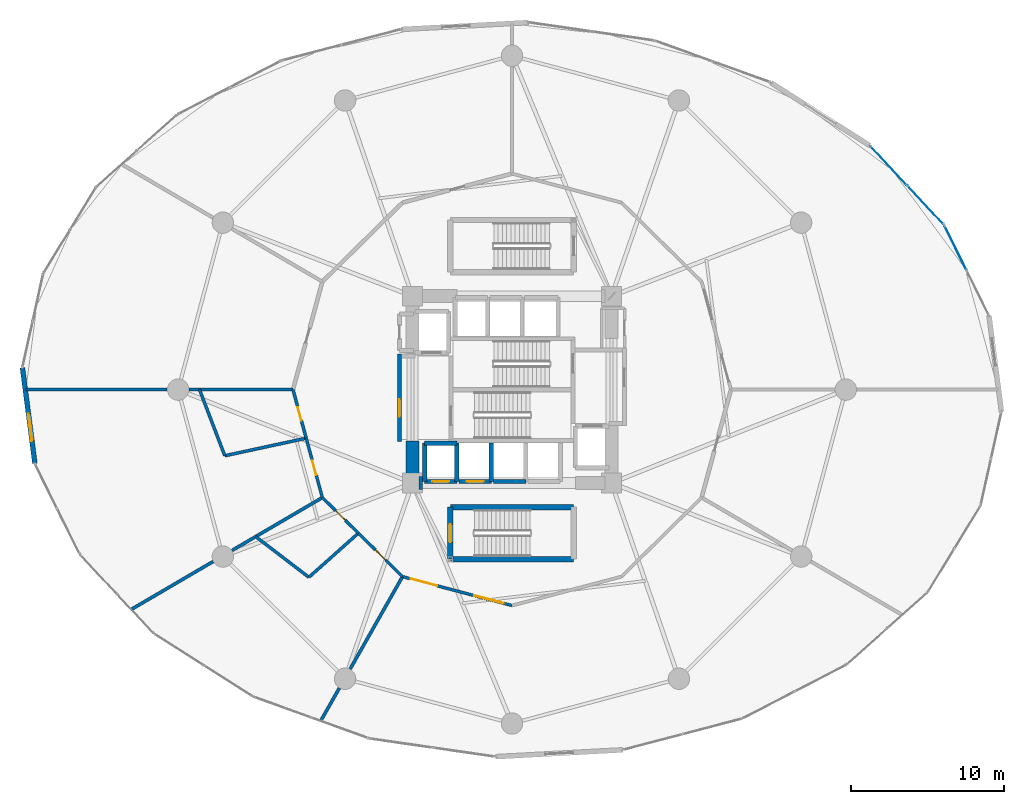
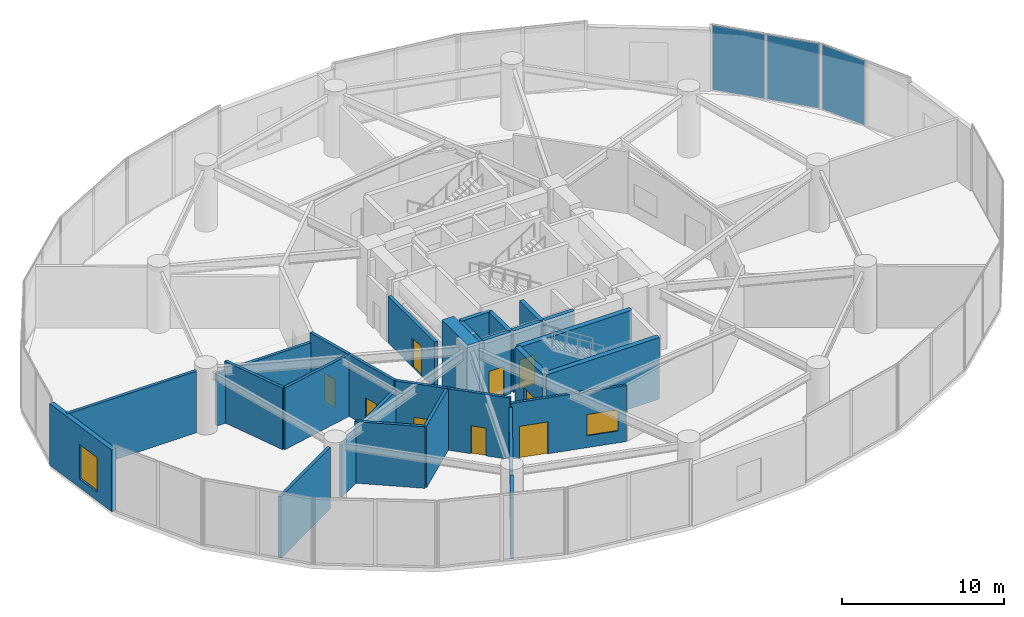
# One storey, part 25 of 31: 29 walls, 9 doors, 3 plates, 2 windows, 11 openings, 2 elements without a shape of their own.
"""IFC4 building model written with IfcOpenShell, lengths in metres."""

from ifc_helpers import new_model, si_unit, direction, frame, frame_2d, origin, origin_2d, place, context, subcontext, project, spatial, rectangle, extrude, source, transform, mapped, material, layer, layer_set, type_object, element, fill, aggregate, save


model = new_model("IFC4")

# Units and contexts
model_context = context("Model", 3, precision=1e-05, world=origin(), true_north=direction((0.0, 1.0)))
body_context = subcontext(model_context, "Body", "Model", "MODEL_VIEW")
ifc_project = project(units=[si_unit("LENGTHUNIT", "METRE"), si_unit("AREAUNIT", "SQUARE_METRE"), si_unit("VOLUMEUNIT", "CUBIC_METRE"), si_unit("PLANEANGLEUNIT", "RADIAN"), si_unit("MASSUNIT", "GRAM", prefix="KILO")], contexts=[model_context])

# Site, building, storey
site_placement = place(None, origin())
site = spatial("IfcSite", under=ifc_project, at=site_placement, CompositionType="ELEMENT")
building_placement = place(site_placement, origin())
building = spatial("IfcBuilding", under=site, at=building_placement, Name="Solvirekh Grand Hotel", CompositionType="ELEMENT")
storey_placement = place(building_placement, frame((0.0, 0.0, 18.60009765625)))
storey = spatial("IfcBuildingStorey", under=building, at=storey_placement, Name="L03", CompositionType="ELEMENT", Elevation=18.60009765625)

# Curtain wall, plate
ifc_material_1 = material(Name="Anodized Bronze Aluminium 6063-T6", Category="aluminium")
ifc_layer_1 = layer(ifc_material_1, 0.219970703125)
ifc_layer_set_1 = layer_set([ifc_layer_1], Name="Anodized Bronze Aluminium 6063-T6")
curtain_wall_type = type_object("IfcCurtainWallType", Name="CW_Sys1_PodiumBronzeUnitised", PredefinedType="NOTDEFINED", material=ifc_layer_set_1)
curtain_wall_1_placement = place(storey_placement, origin())
curtain_wall_1 = element("IfcCurtainWall", 1, at=curtain_wall_1_placement, inside=storey, type_object=curtain_wall_type, Name="L03 unitised bronze-glass curtain wall CW-L03-C02", PredefinedType="NOTDEFINED")
ifc_material_2 = material(Name="Low-E Tinted Bronze Laminated Glass", Category="aluminium")
ifc_layer_2 = layer(ifc_material_2, 0.0439453125)
ifc_layer_set_2 = layer_set([ifc_layer_2], Name="Low-E Tinted Bronze Laminated Glass")
plate_type = type_object("IfcPlateType", Name="CWPanel_Podium_44", PredefinedType="CURTAIN_PANEL", material=ifc_layer_set_2)
shared_shape_1 = source(origin(), body_context, "Body", "SweptSolid", [
    extrude(rectangle(XDim=3.193603515625, YDim=0.0439453125, at=origin_2d()), origin(), (0.0, 0.0, 1.0), 4.8701171875),
])
plate_1_placement = place(storey_placement, frame((28.963134765625, 9.251953125, 0.06494140625), z_axis=(0.0, 0.0, 1.0), x_axis=(-0.443883267157, 0.896084619407, 0.0)))
plate_1 = element("IfcPlate", 2, at=plate_1_placement, type_object=plate_type, Name="U01 panel 2.1", PredefinedType="CURTAIN_PANEL", context=body_context, shape_type="MappedRepresentation", body=[
    mapped(shared_shape_1, transform((0.0, 0.0, 0.0), x_axis=(1.0, 0.0, 0.0), y_axis=(0.0, 1.0, 0.0), z_axis=(0.0, 0.0, 1.0), scale=1.0)),
])
aggregate(curtain_wall_1, [plate_1])

# Curtain wall, plates
curtain_wall_2_placement = place(storey_placement, origin())
curtain_wall_2 = element("IfcCurtainWall", 3, at=curtain_wall_2_placement, inside=storey, type_object=curtain_wall_type, Name="L03 unitised bronze-glass curtain wall CW-L03-C03", PredefinedType="NOTDEFINED")
shared_shape_2 = source(origin(), body_context, "Body", "SweptSolid", [
    extrude(rectangle(XDim=3.443115234375, YDim=0.0439453125, at=origin_2d()), origin(), (0.0, 0.0, 1.0), 4.8701171875),
])
plate_2_placement = place(storey_placement, frame((26.99365234375, 12.06201171875, 0.06494140625), z_axis=(0.0, 0.0, 1.0), x_axis=(-0.683159547971, 0.730269150393, 0.0)))
plate_2 = element("IfcPlate", 4, at=plate_2_placement, type_object=plate_type, Name="U01 panel 1.1", PredefinedType="CURTAIN_PANEL", context=body_context, shape_type="MappedRepresentation", body=[
    mapped(shared_shape_2, transform((0.0, 0.0, 0.0), x_axis=(1.0, 0.0, 0.0), y_axis=(0.0, 1.0, 0.0), z_axis=(0.0, 0.0, 1.0), scale=1.0)),
])
plate_3_placement = place(storey_placement, frame((24.59033203125, 14.631103515625, 0.06494140625), z_axis=(0.0, 0.0, 1.0), x_axis=(-0.683159547971, 0.730269150393, 0.0)))
plate_3 = element("IfcPlate", 5, at=plate_3_placement, type_object=plate_type, Name="U01 panel 2.1", PredefinedType="CURTAIN_PANEL", context=body_context, shape_type="MappedRepresentation", body=[
    mapped(shared_shape_2, transform((0.0, 0.0, 0.0), x_axis=(1.0, 0.0, 0.0), y_axis=(0.0, 1.0, 0.0), z_axis=(0.0, 0.0, 1.0), scale=1.0)),
])
aggregate(curtain_wall_2, [plate_2, plate_3])

# Wall, opening, door
ifc_material_3 = material(Name="Concrete C50/60", Category="concrete")
ifc_layer_3 = layer(ifc_material_3, 0.35009765625)
ifc_layer_set_3 = layer_set([ifc_layer_3], Name="Concrete C50/60")
wall_type_1 = type_object("IfcWallType", Name="CoreDivWall_RC350", PredefinedType="SOLIDWALL", material=ifc_layer_set_3)
wall_1_placement = place(storey_placement, frame((-4.02490234375, -11.074951171875, 0.0), z_axis=(0.0, 0.0, 1.0), x_axis=(0.0, 1.0, 0.0)))
wall_1 = element("IfcWall", 6, at=wall_1_placement, inside=storey, type_object=wall_type_1, Name="L03 podium stair ST-3 west landing wall", PredefinedType="SOLIDWALL", context=body_context, shape_type="SweptSolid", body=[
    extrude(rectangle(XDim=3.39990234375, YDim=0.35009765625, at=frame_2d((1.699951171875, 0.0))), origin(), (0.0, 0.0, 1.0), 4.639892578125),
])
opening_1_placement = place(wall_1_placement, frame((1.10009765625, 0.0, 0.0)))
opening_1 = element("IfcOpeningElement", 7, at=opening_1_placement, cuts=wall_1, Name="Opening D05", PredefinedType="OPENING", context=body_context, shape_type="SweptSolid", body=[
    extrude(rectangle(XDim=1.199951171875, YDim=2.199951171875, at=frame_2d((0.60009765625, 1.10009765625))), frame((0.0, 0.18505859375, 0.0), z_axis=(0.0, -1.0, 0.0), x_axis=(1.0, 0.0, 0.0)), (0.0, 0.0, 1.0), 0.3701171875),
])
ifc_material_4 = material(Name="Fire-Rated Steel Door Assembly", Category="steel")
door_type_1 = type_object("IfcDoorType", Name="Door_StairCore_1200X2200", OperationType="NOTDEFINED", PredefinedType="DOOR", material=ifc_material_4)
door_1_placement = place(opening_1_placement, origin())
door_1 = element("IfcDoor", 8, at=door_1_placement, inside=storey, type_object=door_type_1, Name="L03 podium stair ST-3 fire door", OperationType="SINGLE_SWING_RIGHT", OverallHeight=2.199951171875, OverallWidth=1.199951171875, PredefinedType="DOOR", context=body_context, shape_type="SweptSolid", body=[
    extrude(rectangle(XDim=1.199951171875, YDim=2.199951171875, at=frame_2d((0.60009765625, 1.10009765625))), frame((0.0, 0.02490234375, 0.0), z_axis=(0.0, -1.0, 0.0), x_axis=(1.0, 0.0, 0.0)), (0.0, 0.0, 1.0), 0.050048828125),
])
fill(opening_1, door_1)

# Walls
for number, where, z_axis, x_axis, name in (
    (9, (-4.02490234375, -11.074951171875, 0.0), (0.0, 0.0, 1.0), (1.0, 0.0, 0.0), "L03 podium stair ST-3 S enclosure wall"),
    (10, (4.02490234375, -7.675048828125, 0.0), (0.0, 0.0, 1.0), (-1.0, 0.0, 0.0), "L03 podium stair ST-3 N enclosure wall"),
):
    element("IfcWall", number, at=place(storey_placement, frame(where, z_axis=z_axis, x_axis=x_axis)), inside=storey, type_object=wall_type_1, Name=name, PredefinedType="SOLIDWALL", context=body_context, shape_type="SweptSolid", body=[
        extrude(rectangle(XDim=8.0498046875, YDim=0.35009765625, at=frame_2d((4.02490234375, 0.0))), origin(), (0.0, 0.0, 1.0), 4.639892578125),
    ])

# Wall, opening, door
ifc_material_5 = material(Name="Concrete C40/50", Category="concrete")
ifc_layer_4 = layer(ifc_material_5, 0.280029296875)
ifc_layer_set_4 = layer_set([ifc_layer_4], Name="Concrete C40/50")
wall_type_2 = type_object("IfcWallType", Name="CoreShaftWall_RC280", PredefinedType="SOLIDWALL", material=ifc_layer_set_4)
wall_2_placement = place(storey_placement, frame((-5.699951171875, -6.0, 0.0), z_axis=(0.0, 0.0, 1.0), x_axis=(1.0, 0.0, 0.0)))
wall_2 = element("IfcWall", 11, at=wall_2_placement, inside=storey, type_object=wall_type_2, Name="L03 LP-1 hoistway S wall", PredefinedType="SOLIDWALL", context=body_context, shape_type="SweptSolid", body=[
    extrude(rectangle(XDim=2.099853515625, YDim=0.280029296875, at=frame_2d((1.0498046875, 0.0))), origin(), (0.0, 0.0, 1.0), 4.639892578125),
])
opening_2_placement = place(wall_2_placement, frame((0.5, 0.0, 0.0)))
opening_2 = element("IfcOpeningElement", 12, at=opening_2_placement, cuts=wall_2, Name="Opening LD01", PredefinedType="OPENING", context=body_context, shape_type="SweptSolid", body=[
    extrude(rectangle(XDim=1.10009765625, YDim=2.199951171875, at=frame_2d((0.550048828125, 1.10009765625))), frame((0.0, 0.14990234375, 0.0), z_axis=(0.0, -1.0, 0.0), x_axis=(1.0, 0.0, 0.0)), (0.0, 0.0, 1.0), 0.300048828125),
])
door_type_2 = type_object("IfcDoorType", Name="Door_LiftLanding_1100X2200", OperationType="SLIDING_TO_LEFT", PredefinedType="DOOR", material=ifc_material_4)
door_2_placement = place(opening_2_placement, origin())
door_2 = element("IfcDoor", 13, at=door_2_placement, inside=storey, type_object=door_type_2, Name="L03 LP-1 sliding lift landing door", OperationType="SLIDING_TO_LEFT", OverallHeight=2.199951171875, OverallWidth=1.10009765625, PredefinedType="DOOR", context=body_context, shape_type="SweptSolid", body=[
    extrude(rectangle(XDim=1.10009765625, YDim=2.199951171875, at=frame_2d((0.550048828125, 1.10009765625))), frame((0.0, 0.02490234375, 0.0), z_axis=(0.0, -1.0, 0.0), x_axis=(1.0, 0.0, 0.0)), (0.0, 0.0, 1.0), 0.050048828125),
])
fill(opening_2, door_2)

# Walls
wall_3_placement = place(storey_placement, frame((-3.60009765625, -3.5, 0.0), z_axis=(0.0, 0.0, 1.0), x_axis=(-1.0, 0.0, 0.0)))
element("IfcWall", 14, at=wall_3_placement, inside=storey, type_object=wall_type_2, Name="L03 LP-1 hoistway N wall", PredefinedType="SOLIDWALL", context=body_context, shape_type="SweptSolid", body=[
    extrude(rectangle(XDim=2.099853515625, YDim=0.280029296875, at=frame_2d((1.0498046875, 0.0))), origin(), (0.0, 0.0, 1.0), 4.639892578125),
])
for number, where, z_axis, x_axis, name in (
    (15, (-5.699951171875, -3.5, 0.0), (0.0, 0.0, 1.0), (0.0, -1.0, 0.0), "L03 LP-1 hoistway W wall"),
    (16, (-3.60009765625, -6.0, 0.0), (0.0, 0.0, 1.0), (0.0, 1.0, 0.0), "L03 LP-1 hoistway E wall"),
):
    element("IfcWall", number, at=place(storey_placement, frame(where, z_axis=z_axis, x_axis=x_axis)), inside=storey, type_object=wall_type_2, Name=name, PredefinedType="SOLIDWALL", context=body_context, shape_type="SweptSolid", body=[
        extrude(rectangle(XDim=2.5, YDim=0.280029296875, at=frame_2d((1.25, 0.0))), origin(), (0.0, 0.0, 1.0), 4.639892578125),
    ])

# Wall, opening, door
wall_4_placement = place(storey_placement, frame((-3.449951171875, -6.0, 0.0), z_axis=(0.0, 0.0, 1.0), x_axis=(1.0, 0.0, 0.0)))
wall_4 = element("IfcWall", 17, at=wall_4_placement, inside=storey, type_object=wall_type_2, Name="L03 LP-2 hoistway S wall", PredefinedType="SOLIDWALL", context=body_context, shape_type="SweptSolid", body=[
    extrude(rectangle(XDim=2.099853515625, YDim=0.280029296875, at=frame_2d((1.0498046875, 0.0))), origin(), (0.0, 0.0, 1.0), 4.639892578125),
])
opening_3_placement = place(wall_4_placement, frame((0.5, 0.0, 0.0)))
opening_3 = element("IfcOpeningElement", 18, at=opening_3_placement, cuts=wall_4, Name="Opening LD01", PredefinedType="OPENING", context=body_context, shape_type="SweptSolid", body=[
    extrude(rectangle(XDim=1.10009765625, YDim=2.199951171875, at=frame_2d((0.550048828125, 1.10009765625))), frame((0.0, 0.14990234375, 0.0), z_axis=(0.0, -1.0, 0.0), x_axis=(1.0, 0.0, 0.0)), (0.0, 0.0, 1.0), 0.300048828125),
])
door_3_placement = place(opening_3_placement, origin())
door_3 = element("IfcDoor", 19, at=door_3_placement, inside=storey, type_object=door_type_2, Name="L03 LP-2 sliding lift landing door", OperationType="SLIDING_TO_LEFT", OverallHeight=2.199951171875, OverallWidth=1.10009765625, PredefinedType="DOOR", context=body_context, shape_type="SweptSolid", body=[
    extrude(rectangle(XDim=1.10009765625, YDim=2.199951171875, at=frame_2d((0.550048828125, 1.10009765625))), frame((0.0, 0.02490234375, 0.0), z_axis=(0.0, -1.0, 0.0), x_axis=(1.0, 0.0, 0.0)), (0.0, 0.0, 1.0), 0.050048828125),
])
fill(opening_3, door_3)

# Walls
wall_5_placement = place(storey_placement, frame((-1.35009765625, -6.0, 0.0), z_axis=(0.0, 0.0, 1.0), x_axis=(0.0, 1.0, 0.0)))
element("IfcWall", 20, at=wall_5_placement, inside=storey, type_object=wall_type_2, Name="L03 LP-2 hoistway E wall", PredefinedType="SOLIDWALL", context=body_context, shape_type="SweptSolid", body=[
    extrude(rectangle(XDim=2.5, YDim=0.280029296875, at=frame_2d((1.25, 0.0))), origin(), (0.0, 0.0, 1.0), 4.639892578125),
])
wall_6_placement = place(storey_placement, frame((-1.199951171875, -6.0, 0.0), z_axis=(0.0, 0.0, 1.0), x_axis=(1.0, 0.0, 0.0)))
element("IfcWall", 21, at=wall_6_placement, inside=storey, type_object=wall_type_2, Name="L03 MP-1 hoistway S wall", PredefinedType="SOLIDWALL", context=body_context, shape_type="SweptSolid", body=[
    extrude(rectangle(XDim=2.099853515625, YDim=0.280029296875, at=frame_2d((1.0498046875, 0.0))), origin(), (0.0, 0.0, 1.0), 4.639892578125),
])
ifc_material_6 = material(Name="Concrete C60/75", Category="concrete")
ifc_layer_5 = layer(ifc_material_6, 0.85009765625)
ifc_layer_set_5 = layer_set([ifc_layer_5], Name="Concrete C60/75")
wall_type_3 = type_object("IfcWallType", Name="CoreWall_RC850", PredefinedType="SHEAR", material=ifc_layer_set_5)
wall_7_placement = place(storey_placement, frame((-6.074951171875, -6.10009765625, 0.0), z_axis=(0.0, 0.0, 1.0), x_axis=(1.0, 0.0, 0.0)))
element("IfcWall", 22, at=wall_7_placement, inside=storey, type_object=wall_type_3, Name="L03 core corner shear wall SW-S", PredefinedType="SHEAR", context=body_context, shape_type="SweptSolid", body=[
    extrude(rectangle(XDim=0.224853515625, YDim=0.85009765625, at=frame_2d((0.1123046875, 0.0))), origin(), (0.0, 0.0, 1.0), 5.0),
])
wall_8_placement = place(storey_placement, frame((-6.5, -6.52490234375, 0.0), z_axis=(0.0, 0.0, 1.0), x_axis=(0.0, 1.0, 0.0)))
element("IfcWall", 23, at=wall_8_placement, inside=storey, type_object=wall_type_3, Name="L03 core corner shear wall WS-W", PredefinedType="SHEAR", context=body_context, shape_type="SweptSolid", body=[
    extrude(rectangle(XDim=3.1748046875, YDim=0.85009765625, at=frame_2d((1.58740234375, 0.0))), origin(), (0.0, 0.0, 1.0), 5.0),
])

# Wall, opening, window
ifc_material_7 = material(Name="Precast concrete C45/55", Category="concrete")
ifc_layer_6 = layer(ifc_material_7, 0.320068359375)
ifc_layer_set_6 = layer_set([ifc_layer_6], Name="Precast concrete C45/55")
wall_type_4 = type_object("IfcWallType", Name="ExtLobbyWall_RC320", PredefinedType="SOLIDWALL", material=ifc_layer_set_6)
wall_9_placement = place(storey_placement, frame((-31.156005859375, -4.824951171875, 0.0), z_axis=(0.0, 0.0, 1.0), x_axis=(-0.128759904048, 0.99167579738, 0.0)))
wall_9 = element("IfcWall", 24, at=wall_9_placement, inside=storey, type_object=wall_type_4, Name="L03 exterior structural wall chord 13", PredefinedType="SOLIDWALL", context=body_context, shape_type="SweptSolid", body=[
    extrude(rectangle(XDim=6.306396484375, YDim=0.320068359375, at=frame_2d((3.1533203125, 0.0))), origin(), (0.0, 0.0, 1.0), 4.639892578125),
])
opening_4_placement = place(wall_9_placement, frame((1.47998046875, 0.0, 0.64990234375)))
opening_4 = element("IfcOpeningElement", 25, at=opening_4_placement, cuts=wall_9, Name="Opening W02", PredefinedType="OPENING", context=body_context, shape_type="SweptSolid", body=[
    extrude(rectangle(XDim=1.800048828125, YDim=2.60009765625, at=frame_2d((0.89990234375, 1.300048828125))), frame((0.0, 0.169921875, 0.0), z_axis=(0.0, -1.0, 0.0), x_axis=(1.0, 0.0, 0.0)), (0.0, 0.0, 1.0), 0.340087890625),
])
window_type_1 = type_object("IfcWindowType", Name="Win_LobbyExt_1800X2600", PartitioningType="SINGLE_PANEL", PredefinedType="WINDOW", material=ifc_material_2)
window_1_placement = place(opening_4_placement, origin())
window_1 = element("IfcWindow", 26, at=window_1_placement, inside=storey, type_object=window_type_1, Name="L03 panoramic bronze-framed window 13", OverallHeight=2.60009765625, OverallWidth=1.800048828125, PartitioningType="SINGLE_PANEL", PredefinedType="WINDOW", context=body_context, shape_type="SweptSolid", body=[
    extrude(rectangle(XDim=1.800048828125, YDim=2.60009765625, at=frame_2d((0.89990234375, 1.300048828125))), frame((0.0, 0.030029296875, 0.0), z_axis=(0.0, -1.0, 0.0), x_axis=(1.0, 0.0, 0.0)), (0.0, 0.0, 1.0), 0.06005859375),
])
fill(opening_4, window_1)

# Wall, opening, door
ifc_material_8 = material(Name="Acoustic Gypsum Partition Assembly")
ifc_layer_7 = layer(ifc_material_8, 0.239990234375)
ifc_layer_set_7 = layer_set([ifc_layer_7], Name="Acoustic Gypsum Partition Assembly")
wall_type_5 = type_object("IfcWallType", Name="Part_Corridor_240", PredefinedType="PARTITIONING", material=ifc_layer_set_7)
wall_10_placement = place(storey_placement, frame((-7.35009765625, -3.3798828125, 0.0), z_axis=(0.0, 0.0, 1.0), x_axis=(0.0, 1.0, 0.0)))
wall_10 = element("IfcWall", 27, at=wall_10_placement, inside=storey, type_object=wall_type_5, Name="L03 west firefighting lobby smoke screen wall", PredefinedType="PARTITIONING", context=body_context, shape_type="SweptSolid", body=[
    extrude(rectangle(XDim=5.719970703125, YDim=0.239990234375, at=frame_2d((2.85986328125, 0.0))), origin(), (0.0, 0.0, 1.0), 3.52490234375),
])
opening_5_placement = place(wall_10_placement, frame((1.59912109375, 0.0, 0.0)))
opening_5 = element("IfcOpeningElement", 28, at=opening_5_placement, cuts=wall_10, Name="Opening D06", PredefinedType="OPENING", context=body_context, shape_type="SweptSolid", body=[
    extrude(rectangle(XDim=1.14990234375, YDim=2.199951171875, at=frame_2d((0.574951171875, 1.10009765625))), frame((0.0, 0.1298828125, 0.0), z_axis=(0.0, -1.0, 0.0), x_axis=(1.0, 0.0, 0.0)), (0.0, 0.0, 1.0), 0.260009765625),
])
door_type_3 = type_object("IfcDoorType", Name="Door_FFLobby_1150X2200", OperationType="NOTDEFINED", PredefinedType="DOOR", material=ifc_material_4)
door_4_placement = place(opening_5_placement, origin())
door_4 = element("IfcDoor", 29, at=door_4_placement, inside=storey, type_object=door_type_3, Name="L03 west firefighting lobby smoke door", OperationType="SINGLE_SWING_RIGHT", OverallHeight=2.199951171875, OverallWidth=1.14990234375, PredefinedType="DOOR", context=body_context, shape_type="SweptSolid", body=[
    extrude(rectangle(XDim=1.14990234375, YDim=2.199951171875, at=frame_2d((0.574951171875, 1.10009765625))), frame((0.0, 0.02490234375, 0.0), z_axis=(0.0, -1.0, 0.0), x_axis=(1.0, 0.0, 0.0)), (0.0, 0.0, 1.0), 0.050048828125),
])
fill(opening_5, door_4)

ifc_layer_8 = layer(ifc_material_8, 0.18994140625)
ifc_layer_set_8 = layer_set([ifc_layer_8], Name="Acoustic Gypsum Partition Assembly")
wall_type_6 = type_object("IfcWallType", Name="Part_GuestDemise_190", PredefinedType="PARTITIONING", material=ifc_layer_set_8)
wall_11_placement = place(storey_placement, frame((-13.43798828125, -3.172119140625, 0.0), z_axis=(0.0, 0.0, 1.0), x_axis=(0.262269103922, -0.9649947757, 0.0)))
wall_11 = element("IfcWall", 30, at=wall_11_placement, inside=storey, type_object=wall_type_6, Name="L03 Simultaneous Interpretation Suite corridor wall", PredefinedType="PARTITIONING", context=body_context, shape_type="SweptSolid", body=[
    extrude(rectangle(XDim=4.0185546875, YDim=0.18994140625, at=frame_2d((2.00927734375, 0.0))), origin(), (0.0, 0.0, 1.0), 4.639892578125),
])
opening_6_placement = place(wall_11_placement, frame((1.533935546875, 0.0, 0.0)))
opening_6 = element("IfcOpeningElement", 31, at=opening_6_placement, cuts=wall_11, Name="Opening D10", PredefinedType="OPENING", context=body_context, shape_type="SweptSolid", body=[
    extrude(rectangle(XDim=0.949951171875, YDim=2.10009765625, at=frame_2d((0.47509765625, 1.050048828125))), frame((0.0, 0.10498046875, 0.0), z_axis=(0.0, -1.0, 0.0), x_axis=(1.0, 0.0, 0.0)), (0.0, 0.0, 1.0), 0.2099609375),
])
door_type_4 = type_object("IfcDoorType", Name="Door_RoomInt_950X2100", OperationType="NOTDEFINED", PredefinedType="DOOR", material=ifc_material_1)
door_5_placement = place(opening_6_placement, origin())
door_5 = element("IfcDoor", 32, at=door_5_placement, inside=storey, type_object=door_type_4, Name="L03 Simultaneous Interpretation Suite entrance door", OperationType="SINGLE_SWING_RIGHT", OverallHeight=2.10009765625, OverallWidth=0.949951171875, PredefinedType="DOOR", context=body_context, shape_type="SweptSolid", body=[
    extrude(rectangle(XDim=0.949951171875, YDim=2.10009765625, at=frame_2d((0.47509765625, 1.050048828125))), frame((0.0, 0.02490234375, 0.0), z_axis=(0.0, -1.0, 0.0), x_axis=(1.0, 0.0, 0.0)), (0.0, 0.0, 1.0), 0.050048828125),
])
fill(opening_6, door_5)

wall_12_placement = place(storey_placement, frame((-10.029052734375, -9.3720703125, 0.0), z_axis=(0.0, 0.0, 1.0), x_axis=(0.712070649597, -0.702107819343, 0.0)))
wall_12 = element("IfcWall", 33, at=wall_12_placement, inside=storey, type_object=wall_type_6, Name="L03 Delegate Speakers Lounge corridor wall", PredefinedType="PARTITIONING", context=body_context, shape_type="SweptSolid", body=[
    extrude(rectangle(XDim=4.04345703125, YDim=0.18994140625, at=frame_2d((2.021728515625, 0.0))), origin(), (0.0, 0.0, 1.0), 4.639892578125),
])
opening_7_placement = place(wall_12_placement, frame((1.547119140625, 0.0, 0.0)))
opening_7 = element("IfcOpeningElement", 34, at=opening_7_placement, cuts=wall_12, Name="Opening D10", PredefinedType="OPENING", context=body_context, shape_type="SweptSolid", body=[
    extrude(rectangle(XDim=0.949951171875, YDim=2.10009765625, at=frame_2d((0.47509765625, 1.050048828125))), frame((0.0, 0.10498046875, 0.0), z_axis=(0.0, -1.0, 0.0), x_axis=(1.0, 0.0, 0.0)), (0.0, 0.0, 1.0), 0.2099609375),
])
door_6_placement = place(opening_7_placement, origin())
door_6 = element("IfcDoor", 35, at=door_6_placement, inside=storey, type_object=door_type_4, Name="L03 Delegate Speakers Lounge entrance door", OperationType="SINGLE_SWING_RIGHT", OverallHeight=2.10009765625, OverallWidth=0.949951171875, PredefinedType="DOOR", context=body_context, shape_type="SweptSolid", body=[
    extrude(rectangle(XDim=0.949951171875, YDim=2.10009765625, at=frame_2d((0.47509765625, 1.050048828125))), frame((0.0, 0.02490234375, 0.0), z_axis=(0.0, -1.0, 0.0), x_axis=(1.0, 0.0, 0.0)), (0.0, 0.0, 1.0), 0.050048828125),
])
fill(opening_7, door_6)

# Wall, openings, door, window
wall_13_placement = place(storey_placement, frame((-7.14990234375, -12.2109375, 0.0), z_axis=(0.0, 0.0, 1.0), x_axis=(0.966820901533, -0.255455170937, 0.0)))
wall_13 = element("IfcWall", 36, at=wall_13_placement, inside=storey, type_object=wall_type_6, Name="L03 Breakout Seminar Suites corridor wall", PredefinedType="PARTITIONING", context=body_context, shape_type="SweptSolid", body=[
    extrude(rectangle(XDim=7.395263671875, YDim=0.18994140625, at=frame_2d((3.69775390625, 0.0))), origin(), (0.0, 0.0, 1.0), 4.218994140625),
])
opening_8_placement = place(wall_13_placement, frame((0.550048828125, 0.0, 0.0)))
opening_8 = element("IfcOpeningElement", 37, at=opening_8_placement, cuts=wall_13, Name="Opening D11", PredefinedType="OPENING", context=body_context, shape_type="SweptSolid", body=[
    extrude(rectangle(XDim=1.800048828125, YDim=2.39990234375, at=frame_2d((0.89990234375, 1.199951171875))), frame((0.0, 0.10498046875, 0.0), z_axis=(0.0, -1.0, 0.0), x_axis=(1.0, 0.0, 0.0)), (0.0, 0.0, 1.0), 0.2099609375),
])
opening_9_placement = place(wall_13_placement, frame((4.844970703125, 0.0, 0.89990234375)))
opening_9 = element("IfcOpeningElement", 38, at=opening_9_placement, cuts=wall_13, Name="Opening W03", PredefinedType="OPENING", context=body_context, shape_type="SweptSolid", body=[
    extrude(rectangle(XDim=2.0, YDim=1.60009765625, at=frame_2d((1.0, 0.800048828125))), frame((0.0, 0.10498046875, 0.0), z_axis=(0.0, -1.0, 0.0), x_axis=(1.0, 0.0, 0.0)), (0.0, 0.0, 1.0), 0.2099609375),
])
door_type_5 = type_object("IfcDoorType", Name="Door_Ballroom_1800X2400", OperationType="NOTDEFINED", PredefinedType="DOOR", material=ifc_material_4)
door_7_placement = place(opening_8_placement, origin())
door_7 = element("IfcDoor", 39, at=door_7_placement, inside=storey, type_object=door_type_5, Name="L03 Breakout Seminar Suites entrance door", OperationType="SINGLE_SWING_LEFT", OverallHeight=2.39990234375, OverallWidth=1.800048828125, PredefinedType="DOOR", context=body_context, shape_type="SweptSolid", body=[
    extrude(rectangle(XDim=1.800048828125, YDim=2.39990234375, at=frame_2d((0.89990234375, 1.199951171875))), frame((0.0, 0.02490234375, 0.0), z_axis=(0.0, -1.0, 0.0), x_axis=(1.0, 0.0, 0.0)), (0.0, 0.0, 1.0), 0.050048828125),
])
fill(opening_8, door_7)
ifc_material_9 = material(Name="Fire-Rated Ceramic Glazing", Category="glass")
window_type_2 = type_object("IfcWindowType", Name="Win_FoyerInt_2000X1600", PartitioningType="SINGLE_PANEL", PredefinedType="WINDOW", material=ifc_material_9)
window_2_placement = place(opening_9_placement, origin())
window_2 = element("IfcWindow", 40, at=window_2_placement, inside=storey, type_object=window_type_2, Name="L03 Breakout Seminar Suites interior glazed screen", OverallHeight=1.60009765625, OverallWidth=2.0, PartitioningType="SINGLE_PANEL", PredefinedType="WINDOW", context=body_context, shape_type="SweptSolid", body=[
    extrude(rectangle(XDim=2.0, YDim=1.60009765625, at=frame_2d((1.0, 0.800048828125))), frame((0.0, 0.030029296875, 0.0), z_axis=(0.0, -1.0, 0.0), x_axis=(1.0, 0.0, 0.0)), (0.0, 0.0, 1.0), 0.06005859375),
])
fill(opening_9, window_2)

# Walls
ifc_layer_9 = layer(ifc_material_8, 0.2099609375)
ifc_layer_set_9 = layer_set([ifc_layer_9], Name="Acoustic Gypsum Partition Assembly")
wall_type_7 = type_object("IfcWallType", Name="Part_SuiteDemise_210", PredefinedType="PARTITIONING", material=ifc_layer_set_9)
wall_14_placement = place(storey_placement, frame((-14.300048828125, 0.0, 0.0), z_axis=(0.0, 0.0, 1.0), x_axis=(-1.0, 0.0, 0.0)))
element("IfcWall", 41, at=wall_14_placement, inside=storey, type_object=wall_type_7, Name="L03 radial demising wall 7 (A)", PredefinedType="PARTITIONING", context=body_context, shape_type="SweptSolid", body=[
    extrude(rectangle(XDim=6.780029296875, YDim=0.2099609375, at=frame_2d((3.39013671875, 0.0))), origin(), (0.0, 0.0, 1.0), 3.928955078125),
])
wall_15_placement = place(storey_placement, frame((-22.52001953125, 0.0, 0.0), z_axis=(0.0, 0.0, 1.0), x_axis=(-1.0, 0.0, 0.0)))
element("IfcWall", 42, at=wall_15_placement, inside=storey, type_object=wall_type_7, Name="L03 radial demising wall 7 (B)", PredefinedType="PARTITIONING", context=body_context, shape_type="SweptSolid", body=[
    extrude(rectangle(XDim=9.221923828125, YDim=0.2099609375, at=frame_2d((4.61083984375, 0.0))), origin(), (0.0, 0.0, 1.0), 4.639892578125),
])
wall_16_placement = place(storey_placement, frame((-12.384033203125, -7.050048828125, 0.0), z_axis=(0.0, 0.0, 1.0), x_axis=(-0.863039168853, -0.505137004213, 0.0)))
element("IfcWall", 43, at=wall_16_placement, inside=storey, type_object=wall_type_7, Name="L03 radial demising wall 8 (A)", PredefinedType="PARTITIONING", context=body_context, shape_type="SweptSolid", body=[
    extrude(rectangle(XDim=6.831787109375, YDim=0.2099609375, at=frame_2d((3.416015625, 0.0))), origin(), (0.0, 0.0, 1.0), 3.928955078125),
])
wall_17_placement = place(storey_placement, frame((-19.52001953125, -11.22705078125, 0.0), z_axis=(0.0, 0.0, 1.0), x_axis=(-0.863003476407, -0.505197980706, 0.0)))
element("IfcWall", 44, at=wall_17_placement, inside=storey, type_object=wall_type_7, Name="L03 radial demising wall 8 (B)", PredefinedType="PARTITIONING", context=body_context, shape_type="SweptSolid", body=[
    extrude(rectangle(XDim=6.140380859375, YDim=0.2099609375, at=frame_2d((3.0703125, 0.0))), origin(), (0.0, 0.0, 1.0), 4.639892578125),
])
wall_18_placement = place(storey_placement, frame((-7.14990234375, -12.2109375, 0.0), z_axis=(0.0, 0.0, 1.0), x_axis=(-0.493009905658, -0.87002369676, 0.0)))
element("IfcWall", 45, at=wall_18_placement, inside=storey, type_object=wall_type_7, Name="L03 radial demising wall 9 (A)", PredefinedType="PARTITIONING", context=body_context, shape_type="SweptSolid", body=[
    extrude(rectangle(XDim=6.930908203125, YDim=0.2099609375, at=frame_2d((3.46533203125, 0.0))), origin(), (0.0, 0.0, 1.0), 3.928955078125),
])
wall_19_placement = place(storey_placement, frame((-11.27587890625, -19.492919921875, 0.0), z_axis=(0.0, 0.0, 1.0), x_axis=(-0.493278815441, -0.869871260726, 0.0)))
element("IfcWall", 46, at=wall_19_placement, inside=storey, type_object=wall_type_7, Name="L03 radial demising wall 9 (B)", PredefinedType="PARTITIONING", context=body_context, shape_type="SweptSolid", body=[
    extrude(rectangle(XDim=2.42919921875, YDim=0.2099609375, at=frame_2d((1.214599609375, 0.0))), origin(), (0.0, 0.0, 1.0), 4.639892578125),
])

# Wall, opening, door
ifc_layer_10 = layer(ifc_material_8, 0.199951171875)
ifc_layer_set_10 = layer_set([ifc_layer_10], Name="Acoustic Gypsum Partition Assembly")
wall_type_8 = type_object("IfcWallType", Name="Plumb_PublicWC_200", PredefinedType="PLUMBINGWALL", material=ifc_layer_set_10)
wall_20_placement = place(storey_placement, frame((-14.300048828125, 0.0, 0.0), z_axis=(0.0, 0.0, 1.0), x_axis=(0.262250045558, -0.964999955236, 0.0)))
wall_20 = element("IfcWall", 47, at=wall_20_placement, inside=storey, type_object=wall_type_8, Name="L03 Conference Accessible WC corridor wall", PredefinedType="PLUMBINGWALL", context=body_context, shape_type="SweptSolid", body=[
    extrude(rectangle(XDim=3.287109375, YDim=0.199951171875, at=frame_2d((1.6435546875, 0.0))), origin(), (0.0, 0.0, 1.0), 4.639892578125),
])
opening_10_placement = place(wall_20_placement, frame((1.194091796875, 0.0, 0.0)))
opening_10 = element("IfcOpeningElement", 48, at=opening_10_placement, cuts=wall_20, Name="Opening D09", PredefinedType="OPENING", context=body_context, shape_type="SweptSolid", body=[
    extrude(rectangle(XDim=0.89990234375, YDim=2.10009765625, at=frame_2d((0.449951171875, 1.050048828125))), frame((0.0, 0.10986328125, 0.0), z_axis=(0.0, -1.0, 0.0), x_axis=(1.0, 0.0, 0.0)), (0.0, 0.0, 1.0), 0.219970703125),
])
door_type_6 = type_object("IfcDoorType", Name="Door_Ensuite_900X2100", OperationType="NOTDEFINED", PredefinedType="DOOR", material=ifc_material_1)
door_8_placement = place(opening_10_placement, origin())
door_8 = element("IfcDoor", 49, at=door_8_placement, inside=storey, type_object=door_type_6, Name="L03 Conference Accessible WC entrance door", OperationType="SINGLE_SWING_LEFT", OverallHeight=2.10009765625, OverallWidth=0.89990234375, PredefinedType="DOOR", context=body_context, shape_type="SweptSolid", body=[
    extrude(rectangle(XDim=0.89990234375, YDim=2.10009765625, at=frame_2d((0.449951171875, 1.050048828125))), frame((0.0, 0.02490234375, 0.0), z_axis=(0.0, -1.0, 0.0), x_axis=(1.0, 0.0, 0.0)), (0.0, 0.0, 1.0), 0.050048828125),
])
fill(opening_10, door_8)

# Walls
wall_21_placement = place(storey_placement, frame((-20.405029296875, 0.0, 0.0), z_axis=(0.0, 0.0, 1.0), x_axis=(0.357081916748, -0.93407307248, 0.0)))
element("IfcWall", 50, at=wall_21_placement, inside=storey, type_object=wall_type_8, Name="L03 Conference Accessible WC outer plumbing wall", PredefinedType="PLUMBINGWALL", context=body_context, shape_type="SweptSolid", body=[
    extrude(rectangle(XDim=4.6240234375, YDim=0.199951171875, at=frame_2d((2.31201171875, 0.0))), origin(), (0.0, 0.0, 1.0), 4.639892578125),
])
wall_22_placement = place(storey_placement, frame((-13.43798828125, -3.172119140625, 0.0), z_axis=(0.0, 0.0, 1.0), x_axis=(-0.97750580223, -0.210908526632, 0.0)))
element("IfcWall", 51, at=wall_22_placement, inside=storey, type_object=wall_type_8, Name="L03 Conference Accessible WC dividing plumbing wall", PredefinedType="PLUMBINGWALL", context=body_context, shape_type="SweptSolid", body=[
    extrude(rectangle(XDim=5.438232421875, YDim=0.199951171875, at=frame_2d((2.71923828125, 0.0))), origin(), (0.0, 0.0, 1.0), 4.639892578125),
])

# Wall, opening, door
wall_23_placement = place(storey_placement, frame((-12.384033203125, -7.050048828125, 0.0), z_axis=(0.0, 0.0, 1.0), x_axis=(0.712072104827, -0.70210634346, 0.0)))
wall_23 = element("IfcWall", 52, at=wall_23_placement, inside=storey, type_object=wall_type_8, Name="L03 Conference Public Restroom corridor wall", PredefinedType="PLUMBINGWALL", context=body_context, shape_type="SweptSolid", body=[
    extrude(rectangle(XDim=3.30712890625, YDim=0.199951171875, at=frame_2d((1.653564453125, 0.0))), origin(), (0.0, 0.0, 1.0), 4.639892578125),
])
opening_11_placement = place(wall_23_placement, frame((1.2041015625, 0.0, 0.0)))
opening_11 = element("IfcOpeningElement", 53, at=opening_11_placement, cuts=wall_23, Name="Opening D09", PredefinedType="OPENING", context=body_context, shape_type="SweptSolid", body=[
    extrude(rectangle(XDim=0.89990234375, YDim=2.10009765625, at=frame_2d((0.449951171875, 1.050048828125))), frame((0.0, 0.10986328125, 0.0), z_axis=(0.0, -1.0, 0.0), x_axis=(1.0, 0.0, 0.0)), (0.0, 0.0, 1.0), 0.219970703125),
])
door_9_placement = place(opening_11_placement, origin())
door_9 = element("IfcDoor", 54, at=door_9_placement, inside=storey, type_object=door_type_6, Name="L03 Conference Public Restroom entrance door", OperationType="SINGLE_SWING_LEFT", OverallHeight=2.10009765625, OverallWidth=0.89990234375, PredefinedType="DOOR", context=body_context, shape_type="SweptSolid", body=[
    extrude(rectangle(XDim=0.89990234375, YDim=2.10009765625, at=frame_2d((0.449951171875, 1.050048828125))), frame((0.0, 0.02490234375, 0.0), z_axis=(0.0, -1.0, 0.0), x_axis=(1.0, 0.0, 0.0)), (0.0, 0.0, 1.0), 0.050048828125),
])
fill(opening_11, door_9)

# Walls
wall_24_placement = place(storey_placement, frame((-16.736083984375, -9.597900390625, 0.0), z_axis=(0.0, 0.0, 1.0), x_axis=(0.794622380962, -0.607104004002, 0.0)))
element("IfcWall", 55, at=wall_24_placement, inside=storey, type_object=wall_type_8, Name="L03 Conference Public Restroom outer plumbing wall", PredefinedType="PLUMBINGWALL", context=body_context, shape_type="SweptSolid", body=[
    extrude(rectangle(XDim=4.373291015625, YDim=0.199951171875, at=frame_2d((2.1865234375, 0.0))), origin(), (0.0, 0.0, 1.0), 4.639892578125),
])
wall_25_placement = place(storey_placement, frame((-10.029052734375, -9.3720703125, 0.0), z_axis=(0.0, 0.0, 1.0), x_axis=(-0.746487697468, -0.665399216658, 0.0)))
element("IfcWall", 56, at=wall_25_placement, inside=storey, type_object=wall_type_8, Name="L03 Conference Public Restroom dividing plumbing wall", PredefinedType="PLUMBINGWALL", context=body_context, shape_type="SweptSolid", body=[
    extrude(rectangle(XDim=4.32958984375, YDim=0.199951171875, at=frame_2d((2.164794921875, 0.0))), origin(), (0.0, 0.0, 1.0), 4.639892578125),
])

save(model, "model.ifc")
